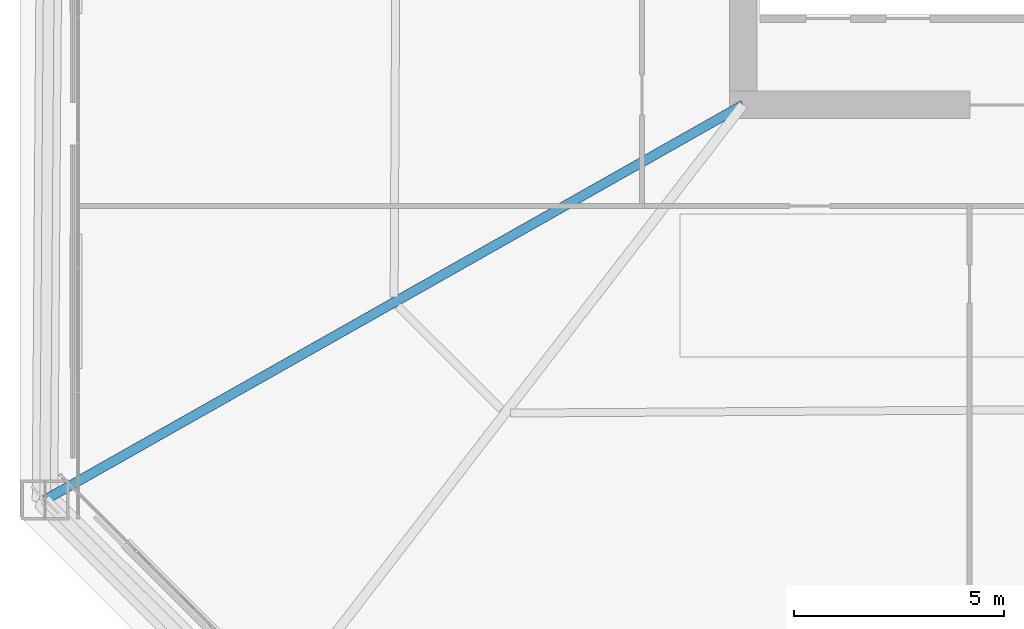
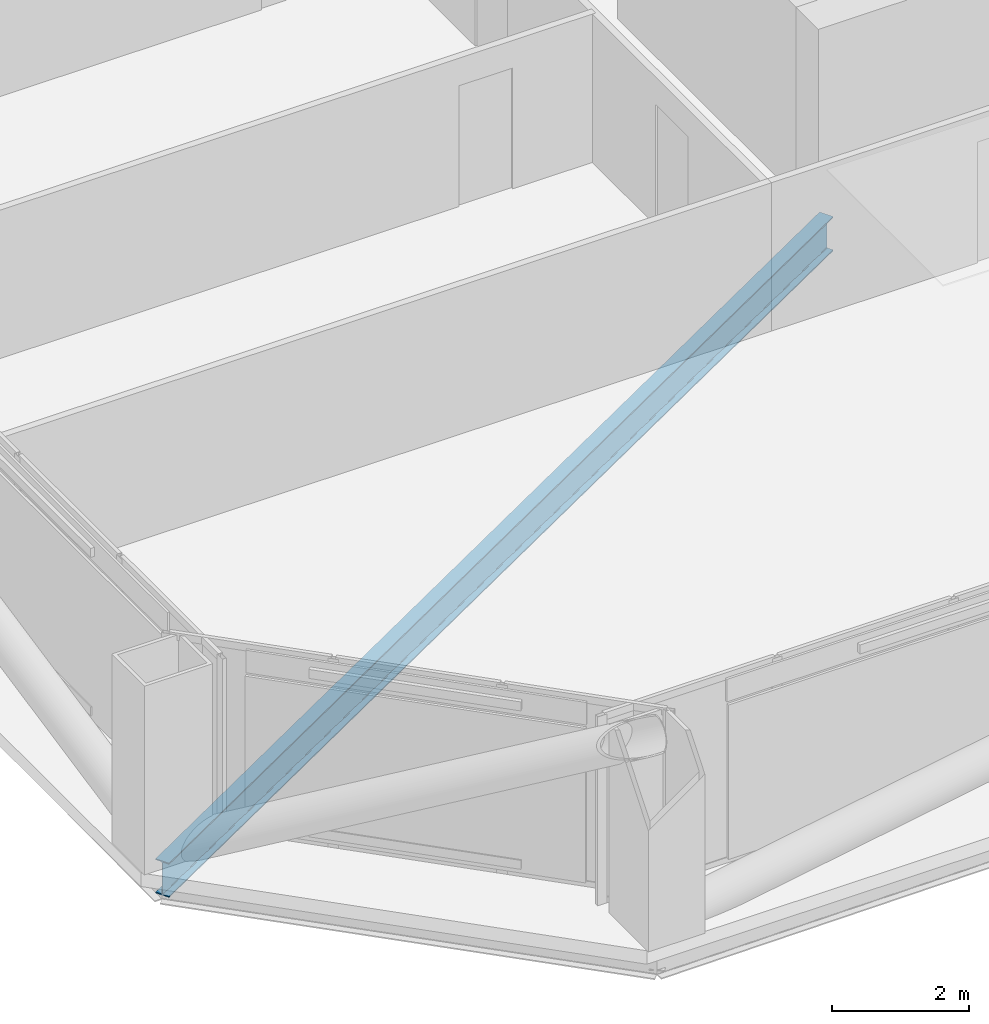
# One storey, part 8 of 50: 1 beam.
"""IFC4 building model written with IfcOpenShell, lengths in metres."""

from ifc_helpers import new_model, si_unit, direction, frame, origin, origin_2d, place, context, subcontext, project, spatial, i_section, extrude, material, material_profile, profile_set, type_object, element, save


model = new_model("IFC4")

# Units and contexts
model_context = context("Model", 3, precision=1e-05, world=origin(), true_north=direction((0.0, 1.0)))
body_context = subcontext(model_context, "Body", "Model", "MODEL_VIEW")
ifc_project = project(units=[si_unit("LENGTHUNIT", "METRE"), si_unit("AREAUNIT", "SQUARE_METRE"), si_unit("VOLUMEUNIT", "CUBIC_METRE"), si_unit("PLANEANGLEUNIT", "RADIAN"), si_unit("MASSUNIT", "GRAM", prefix="KILO")], contexts=[model_context])

# Site, building, storey
site_placement = place(None, origin())
site = spatial("IfcSite", under=ifc_project, at=site_placement, CompositionType="ELEMENT")
building_placement = place(site_placement, origin())
building = spatial("IfcBuilding", under=site, at=building_placement, Name="Caelvoria Tower", CompositionType="ELEMENT")
storey_placement = place(building_placement, frame((0.0, 0.0, 71.199951171875)))
storey = spatial("IfcBuildingStorey", under=building, at=storey_placement, Name="L18", CompositionType="ELEMENT", Elevation=71.199951171875)

# Beam
ifc_material = material(Name="Structural Steel ASTM A992 Gr.50", Category="steel")
ifc_material_profile = material_profile(ifc_material, i_section(OverallWidth=0.22900390625, OverallDepth=0.612060546875, WebThickness=0.011962890625, FlangeThickness=0.01953125, FilletRadius=0.01806640625, at=origin_2d()), Name="Structural Steel ASTM A992 Gr.50")
ifc_profile_set = profile_set([ifc_material_profile], Name="W610X125 - Structural Steel ASTM A992 Gr.50")
beam_type = type_object("IfcBeamType", Name="Primary Radial Floor Girder W610X125", PredefinedType="BEAM", material=ifc_profile_set)
beam_placement = place(storey_placement, frame((37.0, 24.0, -0.5458984375), z_axis=(-0.870330127245, -0.492468749881, 0.0), x_axis=(0.492468749881, -0.870330127245, 0.0)))
element("IfcBeam", 1, at=beam_placement, inside=storey, type_object=beam_type, Name="Primary Floor Girder L18-11", PredefinedType="BEAM", context=body_context, shape_type="SweptSolid", body=[
    extrude(i_section(OverallWidth=0.22900390625, OverallDepth=0.612060546875, WebThickness=0.011962890625, FlangeThickness=0.01953125, FilletRadius=0.01806640625, at=origin_2d()), origin(), (0.0, 0.0, 1.0), 19.078369140625),
])

save(model, "model.ifc")
